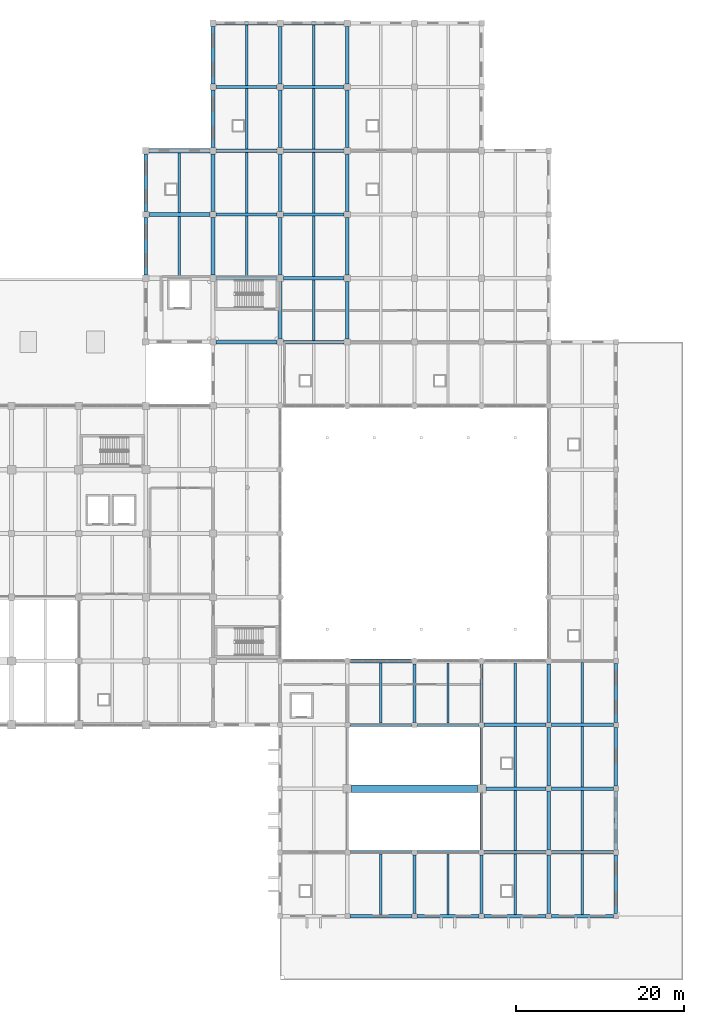
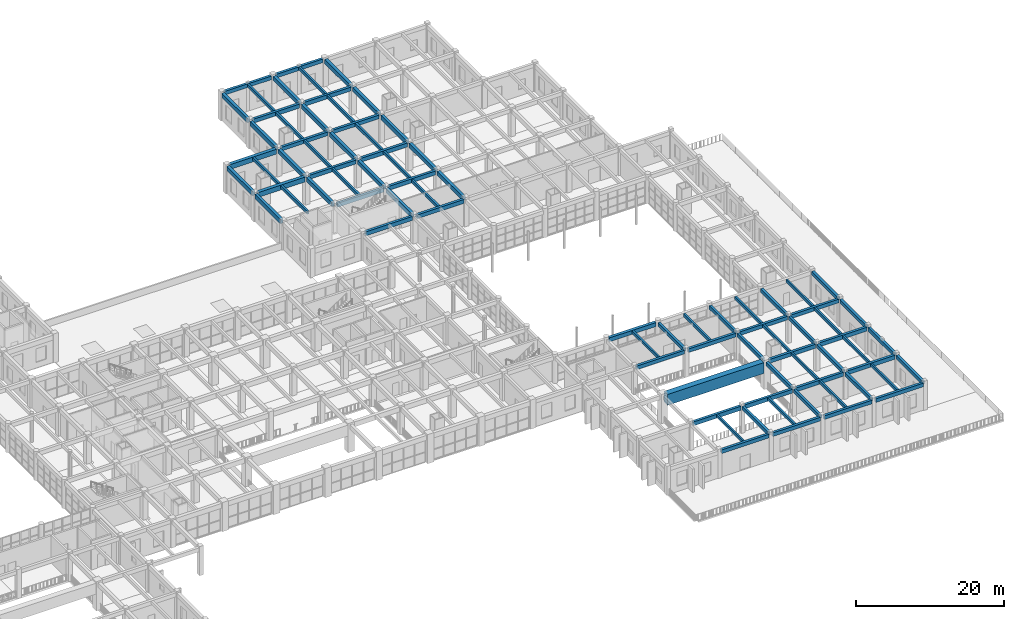
# One storey, part 49 of 101: 83 beams.
"""IFC4 building model written with IfcOpenShell, lengths in metres."""

from ifc_helpers import new_model, si_unit, direction, frame, origin, origin_2d, place, context, subcontext, project, spatial, rectangle, extrude, material, material_profile, profile_set, type_object, element, save


model = new_model("IFC4")

# Units and contexts
model_context = context("Model", 3, precision=1e-05, world=origin(), true_north=direction((0.0, 1.0)))
body_context = subcontext(model_context, "Body", "Model", "MODEL_VIEW")
ifc_project = project(units=[si_unit("LENGTHUNIT", "METRE"), si_unit("AREAUNIT", "SQUARE_METRE"), si_unit("VOLUMEUNIT", "CUBIC_METRE"), si_unit("PLANEANGLEUNIT", "RADIAN"), si_unit("MASSUNIT", "GRAM", prefix="KILO")], contexts=[model_context])

# Site, building, storey
site_placement = place(None, origin())
site = spatial("IfcSite", under=ifc_project, at=site_placement, CompositionType="ELEMENT")
building_placement = place(site_placement, origin())
building = spatial("IfcBuilding", under=site, at=building_placement, Name="Zantavel Square City Hall", CompositionType="ELEMENT")
storey_placement = place(building_placement, frame((0.0, 0.0, 5.39990234375)))
storey = spatial("IfcBuildingStorey", under=building, at=storey_placement, Name="L02", CompositionType="ELEMENT", Elevation=5.39990234375)

# Beams
ifc_material_1 = material(Name="Concrete C35/45", Category="concrete")
ifc_material_profile_1 = material_profile(ifc_material_1, rectangle(XDim=0.3798828125, YDim=0.580078125, at=origin_2d()), Name="RC 380x580")
ifc_profile_set_1 = profile_set([ifc_material_profile_1], Name="Concrete C35/45")
beam_type_1 = type_object("IfcBeamType", Name="Annex Secondary Beam RC 380x580 C35/45", PredefinedType="BEAM", material=ifc_profile_set_1)
beam_1_placement = place(storey_placement, frame((136.0, 7.89990234375, 4.16015625), z_axis=(0.0, 1.0, 0.0), x_axis=(-1.0, 0.0, 0.0)))
element("IfcBeam", 1, at=beam_1_placement, inside=storey, type_object=beam_type_1, Name="L02 Beam BMY-L02-1360-0076", PredefinedType="BEAM", context=body_context, shape_type="SweptSolid", body=[
    extrude(rectangle(XDim=0.3798828125, YDim=0.580078125, at=origin_2d()), origin(), (0.0, 0.0, 1.0), 7.0),
])
beam_2_placement = place(storey_placement, frame((136.0, 30.699951171875, 4.16015625), z_axis=(0.0, 1.0, 0.0), x_axis=(-1.0, 0.0, 0.0)))
element("IfcBeam", 2, at=beam_2_placement, inside=storey, type_object=beam_type_1, Name="L02 Beam BMY-L02-1360-0304", PredefinedType="BEAM", context=body_context, shape_type="SweptSolid", body=[
    extrude(rectangle(XDim=0.3798828125, YDim=0.580078125, at=origin_2d()), origin(), (0.0, 0.0, 1.0), 6.925048828125),
])
beam_3_placement = place(storey_placement, frame((144.0, 7.89990234375, 4.16015625), z_axis=(0.0, 1.0, 0.0), x_axis=(-1.0, 0.0, 0.0)))
element("IfcBeam", 3, at=beam_3_placement, inside=storey, type_object=beam_type_1, Name="L02 Beam BMY-L02-1440-0076", PredefinedType="BEAM", context=body_context, shape_type="SweptSolid", body=[
    extrude(rectangle(XDim=0.3798828125, YDim=0.580078125, at=origin_2d()), origin(), (0.0, 0.0, 1.0), 7.0),
])
for number, where, z_axis, x_axis, name in (
    (4, (144.0, 15.5, 4.16015625), (0.0, 1.0, 0.0), (-1.0, 0.0, 0.0), "L02 Beam BMY-L02-1440-0152"),
    (5, (144.0, 23.300048828125, 4.16015625), (0.0, 1.0, 0.0), (-1.0, 0.0, 0.0), "L02 Beam BMY-L02-1440-0228"),
):
    element("IfcBeam", number, at=place(storey_placement, frame(where, z_axis=z_axis, x_axis=x_axis)), inside=storey, type_object=beam_type_1, Name=name, PredefinedType="BEAM", context=body_context, shape_type="SweptSolid", body=[
        extrude(rectangle(XDim=0.3798828125, YDim=0.580078125, at=origin_2d()), origin(), (0.0, 0.0, 1.0), 6.800048828125),
    ])
beam_4_placement = place(storey_placement, frame((144.0, 30.699951171875, 4.16015625), z_axis=(0.0, 1.0, 0.0), x_axis=(-1.0, 0.0, 0.0)))
element("IfcBeam", 6, at=beam_4_placement, inside=storey, type_object=beam_type_1, Name="L02 Beam BMY-L02-1440-0304", PredefinedType="BEAM", context=body_context, shape_type="SweptSolid", body=[
    extrude(rectangle(XDim=0.3798828125, YDim=0.580078125, at=origin_2d()), origin(), (0.0, 0.0, 1.0), 6.925048828125),
])
for number, where, z_axis, x_axis, name in (
    (7, (152.0, 7.89990234375, 4.16015625), (0.0, 1.0, 0.0), (-1.0, 0.0, 0.0), "L02 Beam BMY-L02-1520-0076"),
    (8, (152.0, 15.5, 4.16015625), (0.0, 1.0, 0.0), (-1.0, 0.0, 0.0), "L02 Beam BMY-L02-1520-0152"),
    (9, (152.0, 23.10009765625, 4.16015625), (0.0, 1.0, 0.0), (-1.0, 0.0, 0.0), "L02 Beam BMY-L02-1520-0228"),
):
    element("IfcBeam", number, at=place(storey_placement, frame(where, z_axis=z_axis, x_axis=x_axis)), inside=storey, type_object=beam_type_1, Name=name, PredefinedType="BEAM", context=body_context, shape_type="SweptSolid", body=[
        extrude(rectangle(XDim=0.3798828125, YDim=0.580078125, at=origin_2d()), origin(), (0.0, 0.0, 1.0), 7.0),
    ])
beam_5_placement = place(storey_placement, frame((152.0, 30.699951171875, 4.16015625), z_axis=(0.0, 1.0, 0.0), x_axis=(-1.0, 0.0, 0.0)))
element("IfcBeam", 10, at=beam_5_placement, inside=storey, type_object=beam_type_1, Name="L02 Beam BMY-L02-1520-0304", PredefinedType="BEAM", context=body_context, shape_type="SweptSolid", body=[
    extrude(rectangle(XDim=0.3798828125, YDim=0.580078125, at=origin_2d()), origin(), (0.0, 0.0, 1.0), 6.925048828125),
])
ifc_material_profile_2 = material_profile(ifc_material_1, rectangle(XDim=0.449951171875, YDim=0.64990234375, at=origin_2d()), Name="RC 450x650")
ifc_profile_set_2 = profile_set([ifc_material_profile_2], Name="Concrete C35/45")
beam_type_2 = type_object("IfcBeamType", Name="Courtyard Cloister Girder RC 450x650 C35/45", PredefinedType="BEAM", material=ifc_profile_set_2)
beam_6_placement = place(storey_placement, frame((128.375, 38.0, 4.125), z_axis=(1.0, 0.0, 0.0), x_axis=(0.0, 1.0, 0.0)))
element("IfcBeam", 11, at=beam_6_placement, inside=storey, type_object=beam_type_2, Name="L02 Girder BMX-L02-1280-0380", PredefinedType="BEAM", context=body_context, shape_type="SweptSolid", body=[
    extrude(rectangle(XDim=0.449951171875, YDim=0.64990234375, at=origin_2d()), origin(), (0.0, 0.0, 1.0), 7.25),
])
ifc_material_profile_3 = material_profile(ifc_material_1, rectangle(XDim=0.300048828125, YDim=0.5, at=origin_2d()), Name="RC 300x500")
ifc_profile_set_3 = profile_set([ifc_material_profile_3], Name="Concrete C35/45")
beam_type_3 = type_object("IfcBeamType", Name="Floor Joist RC 300x500 C35/45", PredefinedType="JOIST", material=ifc_profile_set_3)
beam_7_placement = place(storey_placement, frame((108.0, 83.85009765625, 4.2900390625), z_axis=(0.0, 1.0, 0.0), x_axis=(-1.0, 0.0, 0.0)))
element("IfcBeam", 12, at=beam_7_placement, inside=storey, type_object=beam_type_3, Name="L02 Floor Joist JST-L02-1080-0836", PredefinedType="JOIST", context=body_context, shape_type="SweptSolid", body=[
    extrude(rectangle(XDim=0.300048828125, YDim=0.5, at=origin_2d()), origin(), (0.0, 0.0, 1.0), 7.099853515625),
])
beam_8_placement = place(storey_placement, frame((108.0, 91.449951171875, 4.2900390625), z_axis=(0.0, 1.0, 0.0), x_axis=(-1.0, 0.0, 0.0)))
element("IfcBeam", 13, at=beam_8_placement, inside=storey, type_object=beam_type_3, Name="L02 Floor Joist JST-L02-1080-0912", PredefinedType="JOIST", context=body_context, shape_type="SweptSolid", body=[
    extrude(rectangle(XDim=0.300048828125, YDim=0.5, at=origin_2d()), origin(), (0.0, 0.0, 1.0), 7.10009765625),
])
beam_9_placement = place(storey_placement, frame((116.0, 83.800048828125, 4.2900390625), z_axis=(0.0, 1.0, 0.0), x_axis=(-1.0, 0.0, 0.0)))
element("IfcBeam", 14, at=beam_9_placement, inside=storey, type_object=beam_type_3, Name="L02 Floor Joist JST-L02-1160-0836", PredefinedType="JOIST", context=body_context, shape_type="SweptSolid", body=[
    extrude(rectangle(XDim=0.300048828125, YDim=0.5, at=origin_2d()), origin(), (0.0, 0.0, 1.0), 7.199951171875),
])
beam_10_placement = place(storey_placement, frame((116.0, 91.39990234375, 4.2900390625), z_axis=(0.0, 1.0, 0.0), x_axis=(-1.0, 0.0, 0.0)))
element("IfcBeam", 15, at=beam_10_placement, inside=storey, type_object=beam_type_3, Name="L02 Floor Joist JST-L02-1160-0912", PredefinedType="JOIST", context=body_context, shape_type="SweptSolid", body=[
    extrude(rectangle(XDim=0.300048828125, YDim=0.5, at=origin_2d()), origin(), (0.0, 0.0, 1.0), 7.2001953125),
])
for number, where, z_axis, x_axis, name in (
    (16, (116.0, 99.0, 4.2900390625), (0.0, 1.0, 0.0), (-1.0, 0.0, 0.0), "L02 Floor Joist JST-L02-1160-0988"),
    (17, (116.0, 106.60009765625, 4.2900390625), (0.0, 1.0, 0.0), (-1.0, 0.0, 0.0), "L02 Floor Joist JST-L02-1160-1064"),
    (18, (124.0, 76.199951171875, 4.2001953125), (0.0, 1.0, 0.0), (-1.0, 0.0, 0.0), "L02 Floor Joist JST-L02-1240-0760"),
    (19, (124.0, 83.800048828125, 4.2900390625), (0.0, 1.0, 0.0), (-1.0, 0.0, 0.0), "L02 Floor Joist JST-L02-1240-0836"),
):
    element("IfcBeam", number, at=place(storey_placement, frame(where, z_axis=z_axis, x_axis=x_axis)), inside=storey, type_object=beam_type_3, Name=name, PredefinedType="JOIST", context=body_context, shape_type="SweptSolid", body=[
        extrude(rectangle(XDim=0.300048828125, YDim=0.5, at=origin_2d()), origin(), (0.0, 0.0, 1.0), 7.199951171875),
    ])
beam_11_placement = place(storey_placement, frame((124.0, 91.39990234375, 4.2900390625), z_axis=(0.0, 1.0, 0.0), x_axis=(-1.0, 0.0, 0.0)))
element("IfcBeam", 20, at=beam_11_placement, inside=storey, type_object=beam_type_3, Name="L02 Floor Joist JST-L02-1240-0912", PredefinedType="JOIST", context=body_context, shape_type="SweptSolid", body=[
    extrude(rectangle(XDim=0.300048828125, YDim=0.5, at=origin_2d()), origin(), (0.0, 0.0, 1.0), 7.2001953125),
])
for number, where, z_axis, x_axis, name in (
    (21, (124.0, 99.0, 4.2900390625), (0.0, 1.0, 0.0), (-1.0, 0.0, 0.0), "L02 Floor Joist JST-L02-1240-0988"),
    (22, (124.0, 106.60009765625, 4.2900390625), (0.0, 1.0, 0.0), (-1.0, 0.0, 0.0), "L02 Floor Joist JST-L02-1240-1064"),
):
    element("IfcBeam", number, at=place(storey_placement, frame(where, z_axis=z_axis, x_axis=x_axis)), inside=storey, type_object=beam_type_3, Name=name, PredefinedType="JOIST", context=body_context, shape_type="SweptSolid", body=[
        extrude(rectangle(XDim=0.300048828125, YDim=0.5, at=origin_2d()), origin(), (0.0, 0.0, 1.0), 7.199951171875),
    ])
ifc_material_profile_4 = material_profile(ifc_material_1, rectangle(XDim=0.39990234375, YDim=0.64990234375, at=origin_2d()), Name="RC 400x650")
ifc_profile_set_4 = profile_set([ifc_material_profile_4], Name="Concrete C35/45")
beam_type_4 = type_object("IfcBeamType", Name="Frame Beam RC 400x650 C35/45", PredefinedType="BEAM", material=ifc_profile_set_4)
for number, where, z_axis, x_axis, name in (
    (23, (112.375, 76.0, 4.125), (1.0, 0.0, 0.0), (0.0, 1.0, 0.0), "L02 Girder BMX-L02-1120-0760"),
    (24, (112.375, 83.60009765625, 4.215087890625), (1.0, 0.0, 0.0), (0.0, 1.0, 0.0), "L02 Girder BMX-L02-1120-0836"),
    (25, (112.375, 91.199951171875, 4.215087890625), (1.0, 0.0, 0.0), (0.0, 1.0, 0.0), "L02 Girder BMX-L02-1120-0912"),
    (26, (112.375, 106.39990234375, 4.215087890625), (1.0, 0.0, 0.0), (0.0, 1.0, 0.0), "L02 Girder BMX-L02-1120-1064"),
    (27, (120.375, 76.0, 4.125), (1.0, 0.0, 0.0), (0.0, 1.0, 0.0), "L02 Girder BMX-L02-1200-0760"),
    (28, (120.375, 83.60009765625, 4.215087890625), (1.0, 0.0, 0.0), (0.0, 1.0, 0.0), "L02 Girder BMX-L02-1200-0836"),
    (29, (120.375, 91.199951171875, 4.215087890625), (1.0, 0.0, 0.0), (0.0, 1.0, 0.0), "L02 Girder BMX-L02-1200-0912"),
    (30, (120.375, 106.39990234375, 4.215087890625), (1.0, 0.0, 0.0), (0.0, 1.0, 0.0), "L02 Girder BMX-L02-1200-1064"),
):
    element("IfcBeam", number, at=place(storey_placement, frame(where, z_axis=z_axis, x_axis=x_axis)), inside=storey, type_object=beam_type_4, Name=name, PredefinedType="BEAM", context=body_context, shape_type="SweptSolid", body=[
        extrude(rectangle(XDim=0.39990234375, YDim=0.64990234375, at=origin_2d()), origin(), (0.0, 0.0, 1.0), 7.25),
    ])
for number, where, z_axis, x_axis, name in (
    (31, (128.300048828125, 15.199951171875, 4.125), (1.0, 0.0, 0.0), (0.0, 1.0, 0.0), "L02 Girder BMX-L02-1280-0152"),
    (32, (136.300048828125, 15.199951171875, 4.125), (1.0, 0.0, 0.0), (0.0, 1.0, 0.0), "L02 Girder BMX-L02-1360-0152"),
    (33, (144.300048828125, 15.199951171875, 4.125), (1.0, 0.0, 0.0), (0.0, 1.0, 0.0), "L02 Girder BMX-L02-1440-0152"),
):
    element("IfcBeam", number, at=place(storey_placement, frame(where, z_axis=z_axis, x_axis=x_axis)), inside=storey, type_object=beam_type_4, Name=name, PredefinedType="BEAM", context=body_context, shape_type="SweptSolid", body=[
        extrude(rectangle(XDim=0.39990234375, YDim=0.64990234375, at=origin_2d()), origin(), (0.0, 0.0, 1.0), 7.39990234375),
    ])
beam_12_placement = place(storey_placement, frame((144.5, 22.800048828125, 4.125), z_axis=(1.0, 0.0, 0.0), x_axis=(0.0, 1.0, 0.0)))
element("IfcBeam", 34, at=beam_12_placement, inside=storey, type_object=beam_type_4, Name="L02 Girder BMX-L02-1440-0228", PredefinedType="BEAM", context=body_context, shape_type="SweptSolid", body=[
    extrude(rectangle(XDim=0.39990234375, YDim=0.64990234375, at=origin_2d()), origin(), (0.0, 0.0, 1.0), 7.199951171875),
])
for number, where, z_axis, x_axis, name in (
    (35, (152.300048828125, 15.199951171875, 4.125), (1.0, 0.0, 0.0), (0.0, 1.0, 0.0), "L02 Girder BMX-L02-1520-0152"),
    (36, (152.300048828125, 22.800048828125, 4.125), (1.0, 0.0, 0.0), (0.0, 1.0, 0.0), "L02 Girder BMX-L02-1520-0228"),
):
    element("IfcBeam", number, at=place(storey_placement, frame(where, z_axis=z_axis, x_axis=x_axis)), inside=storey, type_object=beam_type_4, Name=name, PredefinedType="BEAM", context=body_context, shape_type="SweptSolid", body=[
        extrude(rectangle(XDim=0.39990234375, YDim=0.64990234375, at=origin_2d()), origin(), (0.0, 0.0, 1.0), 7.39990234375),
    ])
ifc_material_profile_5 = material_profile(ifc_material_1, rectangle(XDim=0.39990234375, YDim=0.60009765625, at=origin_2d()), Name="RC 400x600")
ifc_profile_set_5 = profile_set([ifc_material_profile_5], Name="Concrete C35/45")
beam_type_5 = type_object("IfcBeamType", Name="Perimeter Spandrel RC 400x600 C35/45", PredefinedType="SPANDREL", material=ifc_profile_set_5)
for number, where, z_axis, x_axis, name in (
    (37, (112.375, 98.800048828125, 4.239990234375), (1.0, 0.0, 0.0), (0.0, 1.0, 0.0), "L02 Girder BMX-L02-1120-0988"),
    (38, (112.375, 114.0, 4.239990234375), (1.0, 0.0, 0.0), (0.0, 1.0, 0.0), "L02 Girder BMX-L02-1120-1140"),
    (39, (120.375, 98.800048828125, 4.239990234375), (1.0, 0.0, 0.0), (0.0, 1.0, 0.0), "L02 Girder BMX-L02-1200-0988"),
    (40, (120.375, 114.0, 4.239990234375), (1.0, 0.0, 0.0), (0.0, 1.0, 0.0), "L02 Girder BMX-L02-1200-1140"),
):
    element("IfcBeam", number, at=place(storey_placement, frame(where, z_axis=z_axis, x_axis=x_axis)), inside=storey, type_object=beam_type_5, Name=name, PredefinedType="SPANDREL", context=body_context, shape_type="SweptSolid", body=[
        extrude(rectangle(XDim=0.39990234375, YDim=0.60009765625, at=origin_2d()), origin(), (0.0, 0.0, 1.0), 7.25),
    ])
for number, where, z_axis, x_axis, name in (
    (41, (128.300048828125, 7.60009765625, 4.150146484375), (1.0, 0.0, 0.0), (0.0, 1.0, 0.0), "L02 Girder BMX-L02-1280-0076"),
    (42, (128.300048828125, 30.39990234375, 4.150146484375), (1.0, 0.0, 0.0), (0.0, 1.0, 0.0), "L02 Girder BMX-L02-1280-0304"),
    (43, (136.300048828125, 7.60009765625, 4.150146484375), (1.0, 0.0, 0.0), (0.0, 1.0, 0.0), "L02 Girder BMX-L02-1360-0076"),
    (44, (136.300048828125, 30.39990234375, 4.150146484375), (1.0, 0.0, 0.0), (0.0, 1.0, 0.0), "L02 Girder BMX-L02-1360-0304"),
    (45, (144.300048828125, 7.60009765625, 4.150146484375), (1.0, 0.0, 0.0), (0.0, 1.0, 0.0), "L02 Girder BMX-L02-1440-0076"),
    (46, (144.300048828125, 30.39990234375, 4.150146484375), (1.0, 0.0, 0.0), (0.0, 1.0, 0.0), "L02 Girder BMX-L02-1440-0304"),
    (47, (152.300048828125, 7.60009765625, 4.150146484375), (1.0, 0.0, 0.0), (0.0, 1.0, 0.0), "L02 Girder BMX-L02-1520-0076"),
    (48, (152.300048828125, 30.39990234375, 4.150146484375), (1.0, 0.0, 0.0), (0.0, 1.0, 0.0), "L02 Girder BMX-L02-1520-0304"),
):
    element("IfcBeam", number, at=place(storey_placement, frame(where, z_axis=z_axis, x_axis=x_axis)), inside=storey, type_object=beam_type_5, Name=name, PredefinedType="SPANDREL", context=body_context, shape_type="SweptSolid", body=[
        extrude(rectangle(XDim=0.39990234375, YDim=0.60009765625, at=origin_2d()), origin(), (0.0, 0.0, 1.0), 7.39990234375),
    ])
for number, where, z_axis, x_axis, name in (
    (49, (160.0, 7.89990234375, 4.150146484375), (0.0, 1.0, 0.0), (-1.0, 0.0, 0.0), "L02 Beam BMY-L02-1600-0076"),
    (50, (160.0, 15.5, 4.150146484375), (0.0, 1.0, 0.0), (-1.0, 0.0, 0.0), "L02 Beam BMY-L02-1600-0152"),
    (51, (160.0, 23.10009765625, 4.150146484375), (0.0, 1.0, 0.0), (-1.0, 0.0, 0.0), "L02 Beam BMY-L02-1600-0228"),
    (52, (160.0, 30.699951171875, 4.150146484375), (0.0, 1.0, 0.0), (-1.0, 0.0, 0.0), "L02 Beam BMY-L02-1600-0304"),
):
    element("IfcBeam", number, at=place(storey_placement, frame(where, z_axis=z_axis, x_axis=x_axis)), inside=storey, type_object=beam_type_5, Name=name, PredefinedType="SPANDREL", context=body_context, shape_type="SweptSolid", body=[
        extrude(rectangle(XDim=0.39990234375, YDim=0.60009765625, at=origin_2d()), origin(), (0.0, 0.0, 1.0), 7.0),
    ])
ifc_material_profile_6 = material_profile(ifc_material_1, rectangle(XDim=0.449951171875, YDim=0.699951171875, at=origin_2d()), Name="RC 450x700")
ifc_profile_set_6 = profile_set([ifc_material_profile_6], Name="Concrete C35/45")
beam_type_6 = type_object("IfcBeamType", Name="Primary Girder RC 450x700 C35/45", PredefinedType="BEAM", material=ifc_profile_set_6)
beam_13_placement = place(storey_placement, frame((104.0, 83.97509765625, 4.190185546875), z_axis=(0.0, 1.0, 0.0), x_axis=(-1.0, 0.0, 0.0)))
element("IfcBeam", 53, at=beam_13_placement, inside=storey, type_object=beam_type_6, Name="L02 Beam BMY-L02-1040-0836", PredefinedType="BEAM", context=body_context, shape_type="SweptSolid", body=[
    extrude(rectangle(XDim=0.449951171875, YDim=0.699951171875, at=origin_2d()), origin(), (0.0, 0.0, 1.0), 6.849853515625),
])
beam_14_placement = place(storey_placement, frame((104.0, 91.574951171875, 4.190185546875), z_axis=(0.0, 1.0, 0.0), x_axis=(-1.0, 0.0, 0.0)))
element("IfcBeam", 54, at=beam_14_placement, inside=storey, type_object=beam_type_6, Name="L02 Beam BMY-L02-1040-0912", PredefinedType="BEAM", context=body_context, shape_type="SweptSolid", body=[
    extrude(rectangle(XDim=0.449951171875, YDim=0.699951171875, at=origin_2d()), origin(), (0.0, 0.0, 1.0), 6.85009765625),
])
beam_15_placement = place(storey_placement, frame((112.0, 83.97509765625, 4.190185546875), z_axis=(0.0, 1.0, 0.0), x_axis=(-1.0, 0.0, 0.0)))
element("IfcBeam", 55, at=beam_15_placement, inside=storey, type_object=beam_type_6, Name="L02 Beam BMY-L02-1120-0836", PredefinedType="BEAM", context=body_context, shape_type="SweptSolid", body=[
    extrude(rectangle(XDim=0.449951171875, YDim=0.699951171875, at=origin_2d()), origin(), (0.0, 0.0, 1.0), 6.849853515625),
])
beam_16_placement = place(storey_placement, frame((112.0, 91.574951171875, 4.190185546875), z_axis=(0.0, 1.0, 0.0), x_axis=(-1.0, 0.0, 0.0)))
element("IfcBeam", 56, at=beam_16_placement, inside=storey, type_object=beam_type_6, Name="L02 Beam BMY-L02-1120-0912", PredefinedType="BEAM", context=body_context, shape_type="SweptSolid", body=[
    extrude(rectangle(XDim=0.449951171875, YDim=0.699951171875, at=origin_2d()), origin(), (0.0, 0.0, 1.0), 6.85009765625),
])
beam_17_placement = place(storey_placement, frame((112.0, 99.175048828125, 4.190185546875), z_axis=(0.0, 1.0, 0.0), x_axis=(-1.0, 0.0, 0.0)))
element("IfcBeam", 57, at=beam_17_placement, inside=storey, type_object=beam_type_6, Name="L02 Beam BMY-L02-1120-0988", PredefinedType="BEAM", context=body_context, shape_type="SweptSolid", body=[
    extrude(rectangle(XDim=0.449951171875, YDim=0.699951171875, at=origin_2d()), origin(), (0.0, 0.0, 1.0), 6.849853515625),
])
for number, where, z_axis, x_axis, name in (
    (58, (112.0, 106.77490234375, 4.190185546875), (0.0, 1.0, 0.0), (-1.0, 0.0, 0.0), "L02 Beam BMY-L02-1120-1064"),
    (59, (120.0, 76.375, 4.190185546875), (0.0, 1.0, 0.0), (-1.0, 0.0, 0.0), "L02 Beam BMY-L02-1200-0760"),
):
    element("IfcBeam", number, at=place(storey_placement, frame(where, z_axis=z_axis, x_axis=x_axis)), inside=storey, type_object=beam_type_6, Name=name, PredefinedType="BEAM", context=body_context, shape_type="SweptSolid", body=[
        extrude(rectangle(XDim=0.449951171875, YDim=0.699951171875, at=origin_2d()), origin(), (0.0, 0.0, 1.0), 6.85009765625),
    ])
beam_18_placement = place(storey_placement, frame((120.0, 83.97509765625, 4.190185546875), z_axis=(0.0, 1.0, 0.0), x_axis=(-1.0, 0.0, 0.0)))
element("IfcBeam", 60, at=beam_18_placement, inside=storey, type_object=beam_type_6, Name="L02 Beam BMY-L02-1200-0836", PredefinedType="BEAM", context=body_context, shape_type="SweptSolid", body=[
    extrude(rectangle(XDim=0.449951171875, YDim=0.699951171875, at=origin_2d()), origin(), (0.0, 0.0, 1.0), 6.849853515625),
])
beam_19_placement = place(storey_placement, frame((120.0, 91.574951171875, 4.190185546875), z_axis=(0.0, 1.0, 0.0), x_axis=(-1.0, 0.0, 0.0)))
element("IfcBeam", 61, at=beam_19_placement, inside=storey, type_object=beam_type_6, Name="L02 Beam BMY-L02-1200-0912", PredefinedType="BEAM", context=body_context, shape_type="SweptSolid", body=[
    extrude(rectangle(XDim=0.449951171875, YDim=0.699951171875, at=origin_2d()), origin(), (0.0, 0.0, 1.0), 6.85009765625),
])
beam_20_placement = place(storey_placement, frame((120.0, 99.175048828125, 4.190185546875), z_axis=(0.0, 1.0, 0.0), x_axis=(-1.0, 0.0, 0.0)))
element("IfcBeam", 62, at=beam_20_placement, inside=storey, type_object=beam_type_6, Name="L02 Beam BMY-L02-1200-0988", PredefinedType="BEAM", context=body_context, shape_type="SweptSolid", body=[
    extrude(rectangle(XDim=0.449951171875, YDim=0.699951171875, at=origin_2d()), origin(), (0.0, 0.0, 1.0), 6.849853515625),
])
for number, where, z_axis, x_axis, name in (
    (63, (120.0, 106.77490234375, 4.190185546875), (0.0, 1.0, 0.0), (-1.0, 0.0, 0.0), "L02 Beam BMY-L02-1200-1064"),
    (64, (128.0, 76.375, 4.190185546875), (0.0, 1.0, 0.0), (-1.0, 0.0, 0.0), "L02 Beam BMY-L02-1280-0760"),
):
    element("IfcBeam", number, at=place(storey_placement, frame(where, z_axis=z_axis, x_axis=x_axis)), inside=storey, type_object=beam_type_6, Name=name, PredefinedType="BEAM", context=body_context, shape_type="SweptSolid", body=[
        extrude(rectangle(XDim=0.449951171875, YDim=0.699951171875, at=origin_2d()), origin(), (0.0, 0.0, 1.0), 6.85009765625),
    ])
beam_21_placement = place(storey_placement, frame((128.0, 83.97509765625, 4.190185546875), z_axis=(0.0, 1.0, 0.0), x_axis=(-1.0, 0.0, 0.0)))
element("IfcBeam", 65, at=beam_21_placement, inside=storey, type_object=beam_type_6, Name="L02 Beam BMY-L02-1280-0836", PredefinedType="BEAM", context=body_context, shape_type="SweptSolid", body=[
    extrude(rectangle(XDim=0.449951171875, YDim=0.699951171875, at=origin_2d()), origin(), (0.0, 0.0, 1.0), 6.849853515625),
])
beam_22_placement = place(storey_placement, frame((128.0, 91.574951171875, 4.190185546875), z_axis=(0.0, 1.0, 0.0), x_axis=(-1.0, 0.0, 0.0)))
element("IfcBeam", 66, at=beam_22_placement, inside=storey, type_object=beam_type_6, Name="L02 Beam BMY-L02-1280-0912", PredefinedType="BEAM", context=body_context, shape_type="SweptSolid", body=[
    extrude(rectangle(XDim=0.449951171875, YDim=0.699951171875, at=origin_2d()), origin(), (0.0, 0.0, 1.0), 6.85009765625),
])
beam_23_placement = place(storey_placement, frame((128.0, 99.175048828125, 4.190185546875), z_axis=(0.0, 1.0, 0.0), x_axis=(-1.0, 0.0, 0.0)))
element("IfcBeam", 67, at=beam_23_placement, inside=storey, type_object=beam_type_6, Name="L02 Beam BMY-L02-1280-0988", PredefinedType="BEAM", context=body_context, shape_type="SweptSolid", body=[
    extrude(rectangle(XDim=0.449951171875, YDim=0.699951171875, at=origin_2d()), origin(), (0.0, 0.0, 1.0), 6.849853515625),
])
beam_24_placement = place(storey_placement, frame((128.0, 106.77490234375, 4.190185546875), z_axis=(0.0, 1.0, 0.0), x_axis=(-1.0, 0.0, 0.0)))
element("IfcBeam", 68, at=beam_24_placement, inside=storey, type_object=beam_type_6, Name="L02 Beam BMY-L02-1280-1064", PredefinedType="BEAM", context=body_context, shape_type="SweptSolid", body=[
    extrude(rectangle(XDim=0.449951171875, YDim=0.699951171875, at=origin_2d()), origin(), (0.0, 0.0, 1.0), 6.85009765625),
])
ifc_material_profile_7 = material_profile(ifc_material_1, rectangle(XDim=0.5, YDim=0.800048828125, at=origin_2d()), Name="RC 500x800")
ifc_profile_set_7 = profile_set([ifc_material_profile_7], Name="Concrete C35/45")
beam_type_7 = type_object("IfcBeamType", Name="Primary Girder RC 500x800 C35/45", PredefinedType="BEAM", material=ifc_profile_set_7)
for number, where, z_axis, x_axis, name in (
    (69, (104.375, 91.199951171875, 4.14013671875), (1.0, 0.0, 0.0), (0.0, 1.0, 0.0), "L02 Girder BMX-L02-1040-0912"),
    (70, (104.375, 98.800048828125, 4.14013671875), (1.0, 0.0, 0.0), (0.0, 1.0, 0.0), "L02 Girder BMX-L02-1040-0988"),
):
    element("IfcBeam", number, at=place(storey_placement, frame(where, z_axis=z_axis, x_axis=x_axis)), inside=storey, type_object=beam_type_7, Name=name, PredefinedType="BEAM", context=body_context, shape_type="SweptSolid", body=[
        extrude(rectangle(XDim=0.5, YDim=0.800048828125, at=origin_2d()), origin(), (0.0, 0.0, 1.0), 7.25),
    ])
ifc_material_profile_8 = material_profile(ifc_material_1, rectangle(XDim=0.280029296875, YDim=0.47998046875, at=origin_2d()), Name="RC 280x480")
ifc_profile_set_8 = profile_set([ifc_material_profile_8], Name="Concrete C35/45")
beam_type_8 = type_object("IfcBeamType", Name="Terrace Deck Joist RC 280x480 C35/45", PredefinedType="JOIST", material=ifc_profile_set_8)
beam_25_placement = place(storey_placement, frame((132.0, 7.800048828125, 4.210205078125), z_axis=(0.0, 1.0, 0.0), x_axis=(-1.0, 0.0, 0.0)))
element("IfcBeam", 71, at=beam_25_placement, inside=storey, type_object=beam_type_8, Name="L02 Floor Joist JST-L02-1320-0076", PredefinedType="JOIST", context=body_context, shape_type="SweptSolid", body=[
    extrude(rectangle(XDim=0.280029296875, YDim=0.47998046875, at=origin_2d()), origin(), (0.0, 0.0, 1.0), 7.199951171875),
])
beam_26_placement = place(storey_placement, frame((132.0, 30.60009765625, 4.210205078125), z_axis=(0.0, 1.0, 0.0), x_axis=(-1.0, 0.0, 0.0)))
element("IfcBeam", 72, at=beam_26_placement, inside=storey, type_object=beam_type_8, Name="L02 Floor Joist JST-L02-1320-0304", PredefinedType="JOIST", context=body_context, shape_type="SweptSolid", body=[
    extrude(rectangle(XDim=0.280029296875, YDim=0.47998046875, at=origin_2d()), origin(), (0.0, 0.0, 1.0), 7.1748046875),
])
beam_27_placement = place(storey_placement, frame((140.0, 7.800048828125, 4.210205078125), z_axis=(0.0, 1.0, 0.0), x_axis=(-1.0, 0.0, 0.0)))
element("IfcBeam", 73, at=beam_27_placement, inside=storey, type_object=beam_type_8, Name="L02 Floor Joist JST-L02-1400-0076", PredefinedType="JOIST", context=body_context, shape_type="SweptSolid", body=[
    extrude(rectangle(XDim=0.280029296875, YDim=0.47998046875, at=origin_2d()), origin(), (0.0, 0.0, 1.0), 7.199951171875),
])
beam_28_placement = place(storey_placement, frame((140.0, 30.60009765625, 4.210205078125), z_axis=(0.0, 1.0, 0.0), x_axis=(-1.0, 0.0, 0.0)))
element("IfcBeam", 74, at=beam_28_placement, inside=storey, type_object=beam_type_8, Name="L02 Floor Joist JST-L02-1400-0304", PredefinedType="JOIST", context=body_context, shape_type="SweptSolid", body=[
    extrude(rectangle(XDim=0.280029296875, YDim=0.47998046875, at=origin_2d()), origin(), (0.0, 0.0, 1.0), 7.1748046875),
])
beam_29_placement = place(storey_placement, frame((148.0, 7.800048828125, 4.210205078125), z_axis=(0.0, 1.0, 0.0), x_axis=(-1.0, 0.0, 0.0)))
element("IfcBeam", 75, at=beam_29_placement, inside=storey, type_object=beam_type_8, Name="L02 Floor Joist JST-L02-1480-0076", PredefinedType="JOIST", context=body_context, shape_type="SweptSolid", body=[
    extrude(rectangle(XDim=0.280029296875, YDim=0.47998046875, at=origin_2d()), origin(), (0.0, 0.0, 1.0), 7.199951171875),
])
beam_30_placement = place(storey_placement, frame((148.0, 15.39990234375, 4.210205078125), z_axis=(0.0, 1.0, 0.0), x_axis=(-1.0, 0.0, 0.0)))
element("IfcBeam", 76, at=beam_30_placement, inside=storey, type_object=beam_type_8, Name="L02 Floor Joist JST-L02-1480-0152", PredefinedType="JOIST", context=body_context, shape_type="SweptSolid", body=[
    extrude(rectangle(XDim=0.280029296875, YDim=0.47998046875, at=origin_2d()), origin(), (0.0, 0.0, 1.0), 7.2001953125),
])
beam_31_placement = place(storey_placement, frame((148.0, 23.0, 4.210205078125), z_axis=(0.0, 1.0, 0.0), x_axis=(-1.0, 0.0, 0.0)))
element("IfcBeam", 77, at=beam_31_placement, inside=storey, type_object=beam_type_8, Name="L02 Floor Joist JST-L02-1480-0228", PredefinedType="JOIST", context=body_context, shape_type="SweptSolid", body=[
    extrude(rectangle(XDim=0.280029296875, YDim=0.47998046875, at=origin_2d()), origin(), (0.0, 0.0, 1.0), 7.199951171875),
])
beam_32_placement = place(storey_placement, frame((148.0, 30.60009765625, 4.210205078125), z_axis=(0.0, 1.0, 0.0), x_axis=(-1.0, 0.0, 0.0)))
element("IfcBeam", 78, at=beam_32_placement, inside=storey, type_object=beam_type_8, Name="L02 Floor Joist JST-L02-1480-0304", PredefinedType="JOIST", context=body_context, shape_type="SweptSolid", body=[
    extrude(rectangle(XDim=0.280029296875, YDim=0.47998046875, at=origin_2d()), origin(), (0.0, 0.0, 1.0), 7.1748046875),
])
beam_33_placement = place(storey_placement, frame((156.0, 7.800048828125, 4.210205078125), z_axis=(0.0, 1.0, 0.0), x_axis=(-1.0, 0.0, 0.0)))
element("IfcBeam", 79, at=beam_33_placement, inside=storey, type_object=beam_type_8, Name="L02 Floor Joist JST-L02-1560-0076", PredefinedType="JOIST", context=body_context, shape_type="SweptSolid", body=[
    extrude(rectangle(XDim=0.280029296875, YDim=0.47998046875, at=origin_2d()), origin(), (0.0, 0.0, 1.0), 7.199951171875),
])
beam_34_placement = place(storey_placement, frame((156.0, 15.39990234375, 4.210205078125), z_axis=(0.0, 1.0, 0.0), x_axis=(-1.0, 0.0, 0.0)))
element("IfcBeam", 80, at=beam_34_placement, inside=storey, type_object=beam_type_8, Name="L02 Floor Joist JST-L02-1560-0152", PredefinedType="JOIST", context=body_context, shape_type="SweptSolid", body=[
    extrude(rectangle(XDim=0.280029296875, YDim=0.47998046875, at=origin_2d()), origin(), (0.0, 0.0, 1.0), 7.2001953125),
])
for number, where, z_axis, x_axis, name in (
    (81, (156.0, 23.0, 4.210205078125), (0.0, 1.0, 0.0), (-1.0, 0.0, 0.0), "L02 Floor Joist JST-L02-1560-0228"),
    (82, (156.0, 30.60009765625, 4.210205078125), (0.0, 1.0, 0.0), (-1.0, 0.0, 0.0), "L02 Floor Joist JST-L02-1560-0304"),
):
    element("IfcBeam", number, at=place(storey_placement, frame(where, z_axis=z_axis, x_axis=x_axis)), inside=storey, type_object=beam_type_8, Name=name, PredefinedType="JOIST", context=body_context, shape_type="SweptSolid", body=[
        extrude(rectangle(XDim=0.280029296875, YDim=0.47998046875, at=origin_2d()), origin(), (0.0, 0.0, 1.0), 7.199951171875),
    ])
ifc_material_2 = material(Name="Concrete C40/50", Category="concrete")
ifc_material_profile_9 = material_profile(ifc_material_2, rectangle(XDim=0.89990234375, YDim=1.800048828125, at=origin_2d()), Name="RC 900x1800")
ifc_profile_set_9 = profile_set([ifc_material_profile_9], Name="Concrete C40/50")
beam_type_9 = type_object("IfcBeamType", Name="Transfer Girder RC 900x1800 C40/50", PredefinedType="BEAM", material=ifc_profile_set_9)
beam_35_placement = place(storey_placement, frame((128.5, 22.800048828125, 3.550048828125), z_axis=(1.0, 0.0, 0.0), x_axis=(0.0, 1.0, 0.0)))
element("IfcBeam", 83, at=beam_35_placement, inside=storey, type_object=beam_type_9, Name="L02 Transfer Girder TG-EAST", PredefinedType="BEAM", context=body_context, shape_type="SweptSolid", body=[
    extrude(rectangle(XDim=0.89990234375, YDim=1.800048828125, at=origin_2d()), origin(), (0.0, 0.0, 1.0), 15.0),
])

save(model, "model.ifc")
